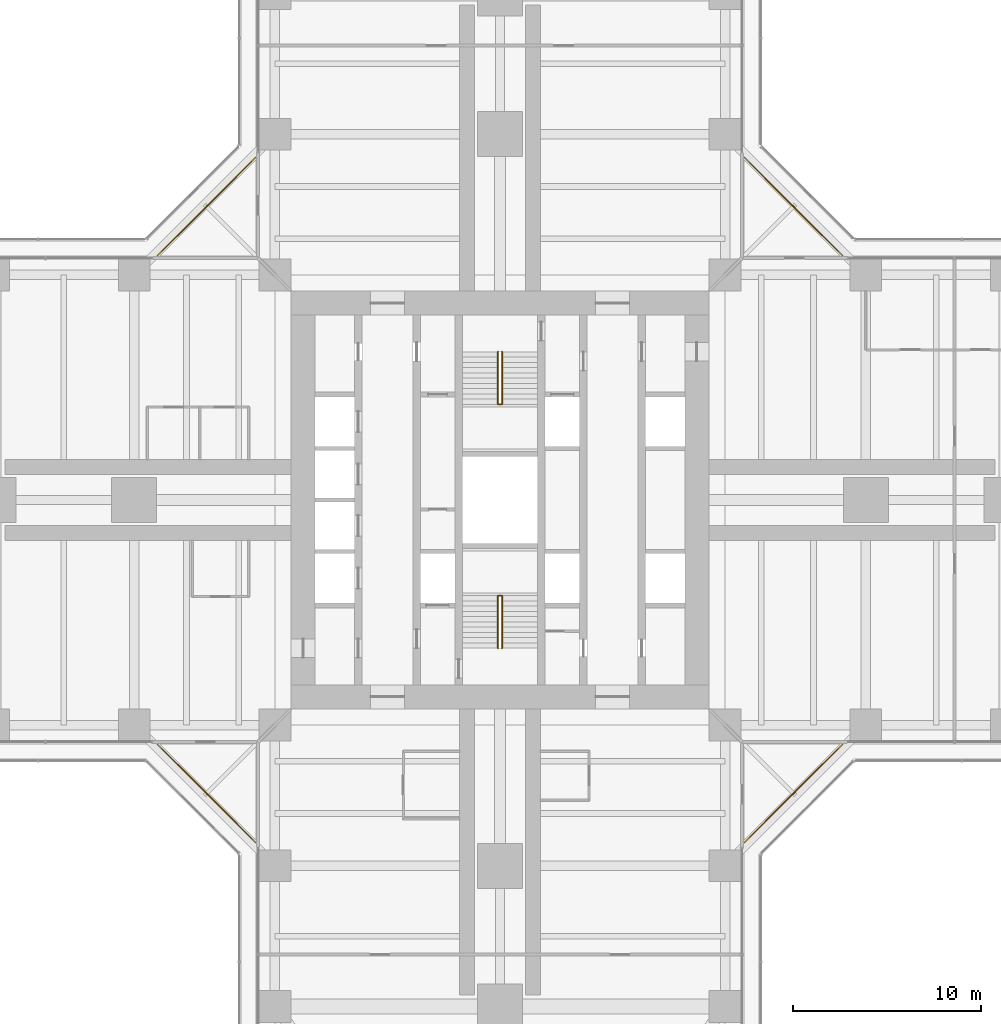
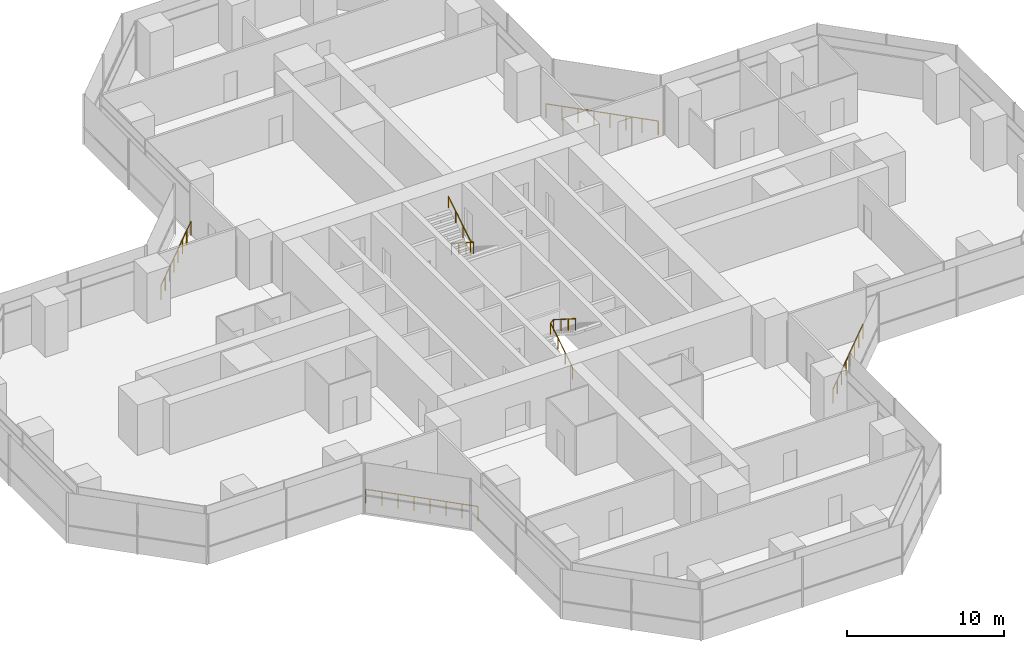
# One storey, part 22 of 22: 6 railings.
"""IFC4 building model written with IfcOpenShell, lengths in metres."""

from ifc_helpers import new_model, si_unit, direction, frame, origin, origin_2d, place, context, subcontext, project, spatial, circle, extrude, material, type_object, element, save


model = new_model("IFC4")

# Units and contexts
model_context = context("Model", 3, precision=1e-05, world=origin(), true_north=direction((0.0, 1.0)))
body_context = subcontext(model_context, "Body", "Model", "MODEL_VIEW")
ifc_project = project(units=[si_unit("LENGTHUNIT", "METRE"), si_unit("AREAUNIT", "SQUARE_METRE"), si_unit("VOLUMEUNIT", "CUBIC_METRE"), si_unit("PLANEANGLEUNIT", "RADIAN"), si_unit("MASSUNIT", "GRAM", prefix="KILO")], contexts=[model_context])

# Site, building, storey
site_placement = place(None, origin())
site = spatial("IfcSite", under=ifc_project, at=site_placement, CompositionType="ELEMENT")
building_placement = place(site_placement, origin())
building = spatial("IfcBuilding", under=site, at=building_placement, Name="Mizan Broadcast Tower", CompositionType="ELEMENT")
storey_placement = place(building_placement, frame((0.0, 0.0, 94.199951171875)))
storey = spatial("IfcBuildingStorey", under=building, at=storey_placement, Name="L20", CompositionType="ELEMENT", Elevation=94.199951171875)

# Railings
ifc_material_1 = material(Name="Stainless steel and glass guard", Category="steel")
railing_type_1 = type_object("IfcRailingType", Name="GUARD 1100", PredefinedType="GUARDRAIL", material=ifc_material_1)
railing_1_placement = place(storey_placement, frame((18.2578125, 13.030029296875, 0.0)))
element("IfcRailing", 1, at=railing_1_placement, inside=storey, type_object=railing_type_1, Name="Winter garden guard L20 E", PredefinedType="GUARDRAIL", context=body_context, shape_type="SweptSolid", body=[
    extrude(circle(Radius=0.02392578125, at=origin_2d()), frame((0.0, 0.0, 1.076171875), z_axis=(-0.707106781187, 0.707106781187, 0.0), x_axis=(-0.707106781187, -0.707106781187, 0.0)), (0.0, 0.0, 1.0), 7.393310546875),
    extrude(circle(Radius=0.02099609375, at=origin_2d()), origin(), (0.0, 0.0, 1.0), 1.052001953125),
    extrude(circle(Radius=0.02099609375, at=origin_2d()), frame((-0.746826171875, 0.746826171875, 0.0)), (0.0, 0.0, 1.0), 1.052001953125),
    extrude(circle(Radius=0.02099609375, at=origin_2d()), frame((-1.49365234375, 1.49365234375, 0.0)), (0.0, 0.0, 1.0), 1.052001953125),
    extrude(circle(Radius=0.02099609375, at=origin_2d()), frame((-2.240478515625, 2.240478515625, 0.0)), (0.0, 0.0, 1.0), 1.052001953125),
    extrude(circle(Radius=0.02099609375, at=origin_2d()), frame((-2.9873046875, 2.9873046875, 0.0)), (0.0, 0.0, 1.0), 1.052001953125),
    extrude(circle(Radius=0.02099609375, at=origin_2d()), frame((-3.734130859375, 3.734130859375, 0.0)), (0.0, 0.0, 1.0), 1.052001953125),
    extrude(circle(Radius=0.02099609375, at=origin_2d()), frame((-4.48095703125, 4.48095703125, 0.0)), (0.0, 0.0, 1.0), 1.052001953125),
    extrude(circle(Radius=0.02099609375, at=origin_2d()), frame((-5.227783203125, 5.227783203125, 0.0)), (0.0, 0.0, 1.0), 1.052001953125),
])
railing_2_placement = place(storey_placement, frame((-13.030029296875, 18.2578125, 0.0)))
element("IfcRailing", 2, at=railing_2_placement, inside=storey, type_object=railing_type_1, Name="Winter garden guard L20 N", PredefinedType="GUARDRAIL", context=body_context, shape_type="SweptSolid", body=[
    extrude(circle(Radius=0.02392578125, at=origin_2d()), frame((0.0, 0.0, 1.076171875), z_axis=(-0.707106781187, -0.707106781187, 0.0), x_axis=(0.707106781187, -0.707106781187, 0.0)), (0.0, 0.0, 1.0), 7.393310546875),
    extrude(circle(Radius=0.02099609375, at=origin_2d()), origin(), (0.0, 0.0, 1.0), 1.052001953125),
    extrude(circle(Radius=0.02099609375, at=origin_2d()), frame((-0.746826171875, -0.746826171875, 0.0)), (0.0, 0.0, 1.0), 1.052001953125),
    extrude(circle(Radius=0.02099609375, at=origin_2d()), frame((-1.49365234375, -1.49365234375, 0.0)), (0.0, 0.0, 1.0), 1.052001953125),
    extrude(circle(Radius=0.02099609375, at=origin_2d()), frame((-2.240478515625, -2.240478515625, 0.0)), (0.0, 0.0, 1.0), 1.052001953125),
    extrude(circle(Radius=0.02099609375, at=origin_2d()), frame((-2.9873046875, -2.9873046875, 0.0)), (0.0, 0.0, 1.0), 1.052001953125),
    extrude(circle(Radius=0.02099609375, at=origin_2d()), frame((-3.734130859375, -3.734130859375, 0.0)), (0.0, 0.0, 1.0), 1.052001953125),
    extrude(circle(Radius=0.02099609375, at=origin_2d()), frame((-4.48095703125, -4.48095703125, 0.0)), (0.0, 0.0, 1.0), 1.052001953125),
    extrude(circle(Radius=0.02099609375, at=origin_2d()), frame((-5.227783203125, -5.227783203125, 0.0)), (0.0, 0.0, 1.0), 1.052001953125),
])
railing_3_placement = place(storey_placement, frame((-18.2578125, -13.030029296875, 0.0)))
element("IfcRailing", 3, at=railing_3_placement, inside=storey, type_object=railing_type_1, Name="Winter garden guard L20 W", PredefinedType="GUARDRAIL", context=body_context, shape_type="SweptSolid", body=[
    extrude(circle(Radius=0.02392578125, at=origin_2d()), frame((0.0, 0.0, 1.076171875), z_axis=(0.707106781187, -0.707106781187, 0.0), x_axis=(0.707106781187, 0.707106781187, 0.0)), (0.0, 0.0, 1.0), 7.393310546875),
    extrude(circle(Radius=0.02099609375, at=origin_2d()), origin(), (0.0, 0.0, 1.0), 1.052001953125),
    extrude(circle(Radius=0.02099609375, at=origin_2d()), frame((0.746826171875, -0.746826171875, 0.0)), (0.0, 0.0, 1.0), 1.052001953125),
    extrude(circle(Radius=0.02099609375, at=origin_2d()), frame((1.49365234375, -1.49365234375, 0.0)), (0.0, 0.0, 1.0), 1.052001953125),
    extrude(circle(Radius=0.02099609375, at=origin_2d()), frame((2.240478515625, -2.240478515625, 0.0)), (0.0, 0.0, 1.0), 1.052001953125),
    extrude(circle(Radius=0.02099609375, at=origin_2d()), frame((2.9873046875, -2.9873046875, 0.0)), (0.0, 0.0, 1.0), 1.052001953125),
    extrude(circle(Radius=0.02099609375, at=origin_2d()), frame((3.734130859375, -3.734130859375, 0.0)), (0.0, 0.0, 1.0), 1.052001953125),
    extrude(circle(Radius=0.02099609375, at=origin_2d()), frame((4.48095703125, -4.48095703125, 0.0)), (0.0, 0.0, 1.0), 1.052001953125),
    extrude(circle(Radius=0.02099609375, at=origin_2d()), frame((5.227783203125, -5.227783203125, 0.0)), (0.0, 0.0, 1.0), 1.052001953125),
])
railing_4_placement = place(storey_placement, frame((13.030029296875, -18.2578125, 0.0)))
element("IfcRailing", 4, at=railing_4_placement, inside=storey, type_object=railing_type_1, Name="Winter garden guard L20 S", PredefinedType="GUARDRAIL", context=body_context, shape_type="SweptSolid", body=[
    extrude(circle(Radius=0.02392578125, at=origin_2d()), frame((0.0, 0.0, 1.076171875), z_axis=(0.707106781187, 0.707106781187, 0.0), x_axis=(-0.707106781187, 0.707106781187, 0.0)), (0.0, 0.0, 1.0), 7.393310546875),
    extrude(circle(Radius=0.02099609375, at=origin_2d()), origin(), (0.0, 0.0, 1.0), 1.052001953125),
    extrude(circle(Radius=0.02099609375, at=origin_2d()), frame((0.746826171875, 0.746826171875, 0.0)), (0.0, 0.0, 1.0), 1.052001953125),
    extrude(circle(Radius=0.02099609375, at=origin_2d()), frame((1.49365234375, 1.49365234375, 0.0)), (0.0, 0.0, 1.0), 1.052001953125),
    extrude(circle(Radius=0.02099609375, at=origin_2d()), frame((2.240478515625, 2.240478515625, 0.0)), (0.0, 0.0, 1.0), 1.052001953125),
    extrude(circle(Radius=0.02099609375, at=origin_2d()), frame((2.9873046875, 2.9873046875, 0.0)), (0.0, 0.0, 1.0), 1.052001953125),
    extrude(circle(Radius=0.02099609375, at=origin_2d()), frame((3.734130859375, 3.734130859375, 0.0)), (0.0, 0.0, 1.0), 1.052001953125),
    extrude(circle(Radius=0.02099609375, at=origin_2d()), frame((4.48095703125, 4.48095703125, 0.0)), (0.0, 0.0, 1.0), 1.052001953125),
    extrude(circle(Radius=0.02099609375, at=origin_2d()), frame((5.227783203125, 5.227783203125, 0.0)), (0.0, 0.0, 1.0), 1.052001953125),
])
ifc_material_2 = material(Name="Stainless steel", Category="steel")
railing_type_2 = type_object("IfcRailingType", Name="HANDRAIL 50", PredefinedType="HANDRAIL", material=ifc_material_2)
railing_5_placement = place(storey_placement, frame((-0.110107421875, -7.89990234375, 0.17724609375)))
element("IfcRailing", 5, at=railing_5_placement, inside=storey, type_object=railing_type_2, Name="Stair A handrail", PredefinedType="HANDRAIL", context=body_context, shape_type="SweptSolid", body=[
    extrude(circle(Radius=0.02392578125, at=origin_2d()), frame((0.0, 0.0, 0.8759765625), z_axis=(0.0, 0.844887892834, 0.53494340686), x_axis=(-1.0, 0.0, 0.0)), (0.0, 0.0, 1.0), 3.313720703125),
    extrude(circle(Radius=0.02392578125, at=origin_2d()), frame((0.0, 2.7998046875, 2.6484375), z_axis=(0.77858989007, 0.0, 0.627533093216), x_axis=(0.0, 1.0, 0.0)), (0.0, 0.0, 1.0), 0.282958984375),
    extrude(circle(Radius=0.02392578125, at=origin_2d()), frame((0.22021484375, 2.7998046875, 2.826171875), z_axis=(0.0, -0.844887892834, 0.53494340686), x_axis=(1.0, 0.0, 0.0)), (0.0, 0.0, 1.0), 3.313720703125),
    extrude(circle(Radius=0.02099609375, at=origin_2d()), origin(), (0.0, 0.0, 1.0), 0.851806640625),
    extrude(circle(Radius=0.02099609375, at=origin_2d()), frame((0.0, 0.933349609375, 0.5908203125)), (0.0, 0.0, 1.0), 0.851806640625),
    extrude(circle(Radius=0.02099609375, at=origin_2d()), frame((0.0, 1.866455078125, 1.181884765625)), (0.0, 0.0, 1.0), 0.851806640625),
    extrude(circle(Radius=0.02099609375, at=origin_2d()), frame((0.0, 2.7998046875, 1.772705078125)), (0.0, 0.0, 1.0), 0.851806640625),
    extrude(circle(Radius=0.02099609375, at=origin_2d()), frame((0.22021484375, 2.7998046875, 1.9501953125)), (0.0, 0.0, 1.0), 0.851806640625),
    extrude(circle(Radius=0.02099609375, at=origin_2d()), frame((0.22021484375, 1.866455078125, 2.541015625)), (0.0, 0.0, 1.0), 0.851806640625),
    extrude(circle(Radius=0.02099609375, at=origin_2d()), frame((0.22021484375, 0.933349609375, 3.132080078125)), (0.0, 0.0, 1.0), 0.851806640625),
    extrude(circle(Radius=0.02099609375, at=origin_2d()), frame((0.22021484375, 0.0, 3.722900390625)), (0.0, 0.0, 1.0), 0.851806640625),
])
railing_6_placement = place(storey_placement, frame((0.110107421875, 7.89990234375, 0.17724609375)))
element("IfcRailing", 6, at=railing_6_placement, inside=storey, type_object=railing_type_2, Name="Stair B handrail", PredefinedType="HANDRAIL", context=body_context, shape_type="SweptSolid", body=[
    extrude(circle(Radius=0.02392578125, at=origin_2d()), frame((0.0, 0.0, 0.8759765625), z_axis=(0.0, -0.844887892834, 0.53494340686), x_axis=(1.0, 0.0, 0.0)), (0.0, 0.0, 1.0), 3.313720703125),
    extrude(circle(Radius=0.02392578125, at=origin_2d()), frame((0.0, -2.7998046875, 2.6484375), z_axis=(-0.77858989007, 0.0, 0.627533093216), x_axis=(0.0, -1.0, 0.0)), (0.0, 0.0, 1.0), 0.282958984375),
    extrude(circle(Radius=0.02392578125, at=origin_2d()), frame((-0.22021484375, -2.7998046875, 2.826171875), z_axis=(0.0, 0.844887892834, 0.53494340686), x_axis=(-1.0, 0.0, 0.0)), (0.0, 0.0, 1.0), 3.313720703125),
    extrude(circle(Radius=0.02099609375, at=origin_2d()), origin(), (0.0, 0.0, 1.0), 0.851806640625),
    extrude(circle(Radius=0.02099609375, at=origin_2d()), frame((0.0, -0.933349609375, 0.5908203125)), (0.0, 0.0, 1.0), 0.851806640625),
    extrude(circle(Radius=0.02099609375, at=origin_2d()), frame((0.0, -1.866455078125, 1.181884765625)), (0.0, 0.0, 1.0), 0.851806640625),
    extrude(circle(Radius=0.02099609375, at=origin_2d()), frame((0.0, -2.7998046875, 1.772705078125)), (0.0, 0.0, 1.0), 0.851806640625),
    extrude(circle(Radius=0.02099609375, at=origin_2d()), frame((-0.22021484375, -2.7998046875, 1.9501953125)), (0.0, 0.0, 1.0), 0.851806640625),
    extrude(circle(Radius=0.02099609375, at=origin_2d()), frame((-0.22021484375, -1.866455078125, 2.541015625)), (0.0, 0.0, 1.0), 0.851806640625),
    extrude(circle(Radius=0.02099609375, at=origin_2d()), frame((-0.22021484375, -0.933349609375, 3.132080078125)), (0.0, 0.0, 1.0), 0.851806640625),
    extrude(circle(Radius=0.02099609375, at=origin_2d()), frame((-0.22021484375, 0.0, 3.722900390625)), (0.0, 0.0, 1.0), 0.851806640625),
])

save(model, "model.ifc")
